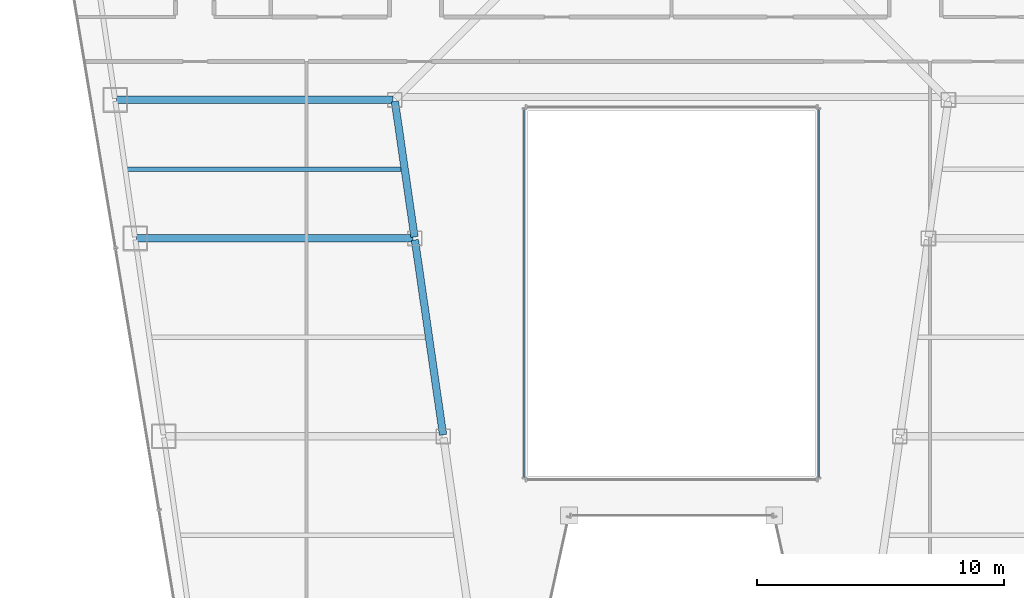
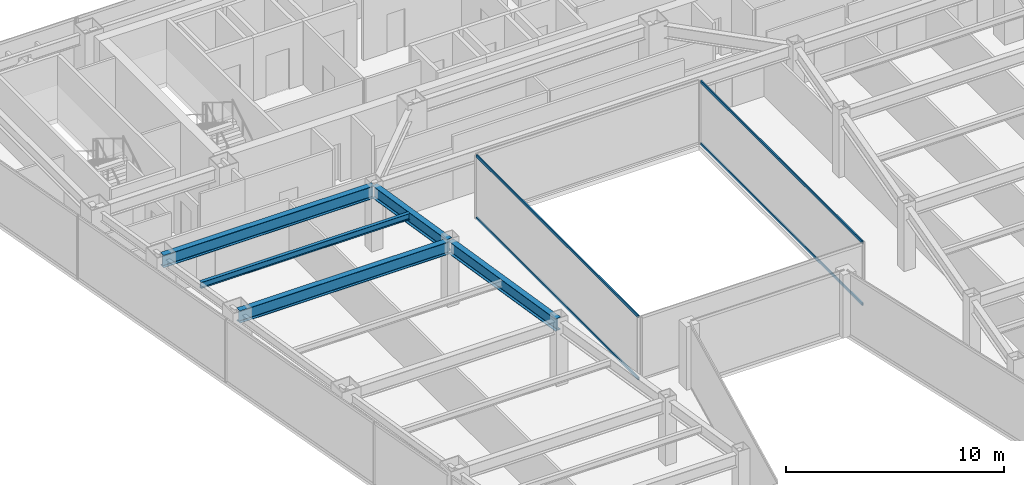
# One storey, part 10 of 37: 5 beams, 4 members, 2 elements without a shape of their own.
"""IFC4 building model written with IfcOpenShell, lengths in metres."""

from ifc_helpers import new_model, si_unit, direction, frame, origin, origin_2d, place, context, subcontext, project, spatial, hollow_rectangle, i_section, extrude, material, material_profile, profile_set, type_object, element, aggregate, save


model = new_model("IFC4")

# Units and contexts
model_context = context("Model", 3, precision=1e-05, world=origin(), true_north=direction((0.0, 1.0)))
body_context = subcontext(model_context, "Body", "Model", "MODEL_VIEW")
ifc_project = project(units=[si_unit("LENGTHUNIT", "METRE"), si_unit("AREAUNIT", "SQUARE_METRE"), si_unit("VOLUMEUNIT", "CUBIC_METRE"), si_unit("PLANEANGLEUNIT", "RADIAN"), si_unit("MASSUNIT", "GRAM", prefix="KILO")], contexts=[model_context])

# Site, building, storey
site_placement = place(None, origin())
site = spatial("IfcSite", under=ifc_project, at=site_placement, CompositionType="ELEMENT")
building_placement = place(site_placement, origin())
building = spatial("IfcBuilding", under=site, at=building_placement, Name="Saevonmaru Cultural Tower", CompositionType="ELEMENT")
storey_placement = place(building_placement, frame((0.0, 0.0, 144.800048828125)))
storey = spatial("IfcBuildingStorey", under=building, at=storey_placement, Name="L31", CompositionType="ELEMENT", Elevation=144.800048828125)

# Beams
ifc_material_1 = material(Name="Steel SM355", Category="steel")
ifc_material_profile_1 = material_profile(ifc_material_1, i_section(OverallWidth=0.300048828125, OverallDepth=0.699951171875, WebThickness=0.012939453125, FlangeThickness=0.02392578125, FilletRadius=0.02587890625, at=origin_2d()), Name="H-700x300x13x24")
ifc_profile_set_1 = profile_set([ifc_material_profile_1], Name="Steel SM355")
beam_type_1 = type_object("IfcBeamType", Name="BM-G-H700", PredefinedType="BEAM", material=ifc_profile_set_1)
beam_1_placement = place(storey_placement, frame((20.763427734375, 24.059326171875, 3.199951171875), z_axis=(-0.142902032203, 0.989736838353, 0.0), x_axis=(-0.989736838353, -0.142902032203, 0.0)))
element("IfcBeam", 1, at=beam_1_placement, inside=storey, type_object=beam_type_1, Name="L31 West Atrium Girder 3", PredefinedType="BEAM", context=body_context, shape_type="SweptSolid", body=[
    extrude(i_section(OverallWidth=0.300048828125, OverallDepth=0.699951171875, WebThickness=0.012939453125, FlangeThickness=0.02392578125, FilletRadius=0.02587890625, at=origin_2d()), origin(), (0.0, 0.0, 1.0), 7.963134765625),
])
beam_2_placement = place(storey_placement, frame((19.6083984375, 32.059326171875, 3.199951171875), z_axis=(-0.142964121327, 0.989727871697, 0.0), x_axis=(-0.989727871697, -0.142964121327, 0.0)))
element("IfcBeam", 2, at=beam_2_placement, inside=storey, type_object=beam_type_1, Name="L31 West Atrium Girder 4", PredefinedType="BEAM", context=body_context, shape_type="SweptSolid", body=[
    extrude(i_section(OverallWidth=0.300048828125, OverallDepth=0.699951171875, WebThickness=0.012939453125, FlangeThickness=0.02392578125, FilletRadius=0.02587890625, at=origin_2d()), origin(), (0.0, 0.0, 1.0), 5.5380859375),
])
for number, where, z_axis, x_axis, name in (
    (3, (8.376953125, 32.0, 3.199951171875), (1.0, 0.0, 0.0), (0.0, 1.0, 0.0), "L31 West Wing Transverse Girder 4"),
    (4, (7.568115234375, 37.60009765625, 3.199951171875), (1.0, 0.0, 0.0), (0.0, 1.0, 0.0), "L31 West Wing Transverse Girder 5"),
):
    element("IfcBeam", number, at=place(storey_placement, frame(where, z_axis=z_axis, x_axis=x_axis)), inside=storey, type_object=beam_type_1, Name=name, PredefinedType="BEAM", context=body_context, shape_type="SweptSolid", body=[
        extrude(i_section(OverallWidth=0.300048828125, OverallDepth=0.699951171875, WebThickness=0.012939453125, FlangeThickness=0.02392578125, FilletRadius=0.02587890625, at=origin_2d()), origin(), (0.0, 0.0, 1.0), 11.179931640625),
    ])
ifc_material_profile_2 = material_profile(ifc_material_1, i_section(OverallWidth=0.175048828125, OverallDepth=0.35009765625, WebThickness=0.007080078125, FlangeThickness=0.010986328125, FilletRadius=0.012939453125, at=origin_2d()), Name="H-350x175x7x11")
ifc_profile_set_2 = profile_set([ifc_material_profile_2], Name="Steel SM355")
beam_type_2 = type_object("IfcBeamType", Name="BM-J-H350", PredefinedType="JOIST", material=ifc_profile_set_2)
beam_3_placement = place(storey_placement, frame((7.972412109375, 34.800048828125, 3.375), z_axis=(1.0, 0.0, 0.0), x_axis=(0.0, 1.0, 0.0)))
element("IfcBeam", 5, at=beam_3_placement, inside=storey, type_object=beam_type_2, Name="L31 West Wing Floor Joist 4", PredefinedType="JOIST", context=body_context, shape_type="SweptSolid", body=[
    extrude(i_section(OverallWidth=0.175048828125, OverallDepth=0.35009765625, WebThickness=0.007080078125, FlangeThickness=0.010986328125, FilletRadius=0.012939453125, at=origin_2d()), origin(), (0.0, 0.0, 1.0), 11.08203125),
])

# Curtain wall, members
ifc_material_2 = material(Name="Satin Bronze Anodised Aluminium", Category="aluminium")
curtain_wall_type = type_object("IfcCurtainWallType", Name="CW-ATR-GLZ", PredefinedType="NOTDEFINED", material=ifc_material_2)
curtain_wall_1_placement = place(storey_placement, origin())
curtain_wall_1 = element("IfcCurtainWall", 6, at=curtain_wall_1_placement, inside=storey, type_object=curtain_wall_type, Name="L31 Vertical Atrium Glazed Smoke Screen 2", PredefinedType="NOTDEFINED")
ifc_material_profile_3 = material_profile(ifc_material_2, hollow_rectangle(XDim=0.06494140625, YDim=0.14990234375, WallThickness=0.00390625, at=origin_2d()), Name="ALU-TRAN-150x65x4")
ifc_profile_set_3 = profile_set([ifc_material_profile_3], Name="Satin Bronze Anodised Aluminium")
member_type = type_object("IfcMemberType", Name="TR-CW-INT-150x65", PredefinedType="USERDEFINED", material=ifc_profile_set_3)
member_1_placement = place(storey_placement, frame((35.949951171875, 22.342529296875, 0.032470703125), z_axis=(0.0, 1.0, 0.0), x_axis=(-1.0, 0.0, 0.0)))
member_1 = element("IfcMember", 7, at=member_1_placement, type_object=member_type, Name="CW-ATR-L31-2 transom 1.1", ObjectType="TRANSOM", PredefinedType="USERDEFINED", context=body_context, shape_type="SweptSolid", body=[
    extrude(hollow_rectangle(XDim=0.06494140625, YDim=0.14990234375, WallThickness=0.00390625, at=origin_2d()), origin(), (0.0, 0.0, 1.0), 14.875),
])
member_2_placement = place(storey_placement, frame((35.949951171875, 22.342529296875, 3.517333984375), z_axis=(0.0, 1.0, 0.0), x_axis=(-1.0, 0.0, 0.0)))
member_2 = element("IfcMember", 8, at=member_2_placement, type_object=member_type, Name="CW-ATR-L31-2 transom 1.2", ObjectType="TRANSOM", PredefinedType="USERDEFINED", context=body_context, shape_type="SweptSolid", body=[
    extrude(hollow_rectangle(XDim=0.06494140625, YDim=0.14990234375, WallThickness=0.00390625, at=origin_2d()), origin(), (0.0, 0.0, 1.0), 14.875),
])
aggregate(curtain_wall_1, [member_1, member_2])

curtain_wall_2_placement = place(storey_placement, origin())
curtain_wall_2 = element("IfcCurtainWall", 9, at=curtain_wall_2_placement, inside=storey, type_object=curtain_wall_type, Name="L31 Vertical Atrium Glazed Smoke Screen 4", PredefinedType="NOTDEFINED")
member_3_placement = place(storey_placement, frame((24.050048828125, 37.217529296875, 0.032470703125), z_axis=(0.0, -1.0, 0.0), x_axis=(1.0, 0.0, 0.0)))
member_3 = element("IfcMember", 10, at=member_3_placement, type_object=member_type, Name="CW-ATR-L31-4 transom 1.1", ObjectType="TRANSOM", PredefinedType="USERDEFINED", context=body_context, shape_type="SweptSolid", body=[
    extrude(hollow_rectangle(XDim=0.06494140625, YDim=0.14990234375, WallThickness=0.00390625, at=origin_2d()), origin(), (0.0, 0.0, 1.0), 14.875),
])
member_4_placement = place(storey_placement, frame((24.050048828125, 37.217529296875, 3.517333984375), z_axis=(0.0, -1.0, 0.0), x_axis=(1.0, 0.0, 0.0)))
member_4 = element("IfcMember", 11, at=member_4_placement, type_object=member_type, Name="CW-ATR-L31-4 transom 1.2", ObjectType="TRANSOM", PredefinedType="USERDEFINED", context=body_context, shape_type="SweptSolid", body=[
    extrude(hollow_rectangle(XDim=0.06494140625, YDim=0.14990234375, WallThickness=0.00390625, at=origin_2d()), origin(), (0.0, 0.0, 1.0), 14.875),
])
aggregate(curtain_wall_2, [member_3, member_4])

save(model, "model.ifc")
